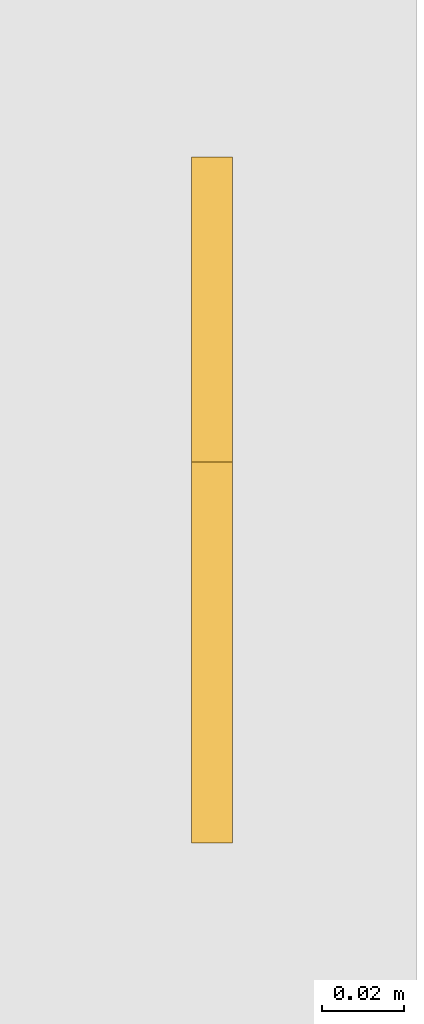
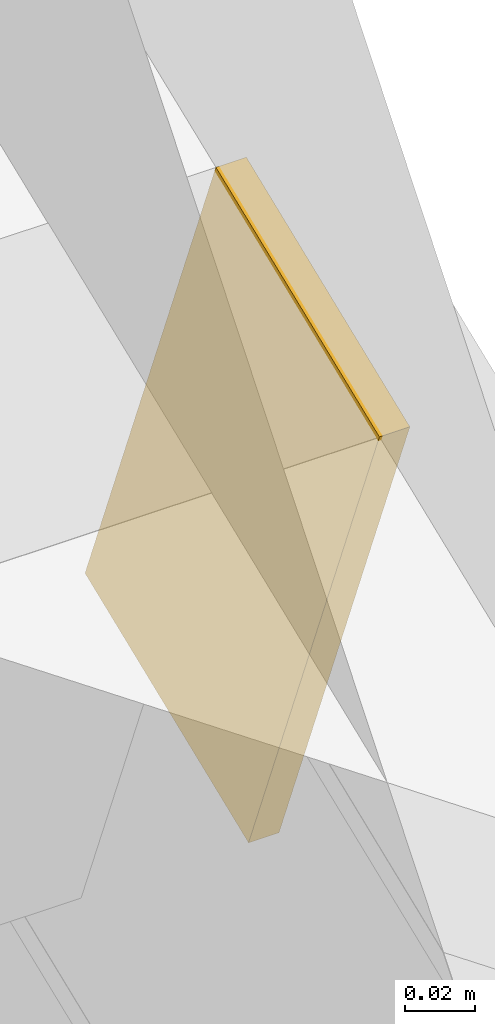
# One storey, part 106 of 109: 1 covering.
"""IFC4 building model written with IfcOpenShell, lengths in metres."""

from ifc_helpers import new_model, si_unit, direction, frame, origin, place, context, subcontext, project, spatial, polyline, outline, extrude, material, material_profile, profile_set, type_object, element, save


model = new_model("IFC4")

# Units and contexts
model_context = context("Model", 3, precision=1e-05, world=origin(), true_north=direction((0.0, 1.0)))
body_context = subcontext(model_context, "Body", "Model", "MODEL_VIEW")
ifc_project = project(units=[si_unit("LENGTHUNIT", "METRE"), si_unit("AREAUNIT", "SQUARE_METRE"), si_unit("VOLUMEUNIT", "CUBIC_METRE"), si_unit("PLANEANGLEUNIT", "RADIAN"), si_unit("MASSUNIT", "GRAM", prefix="KILO")], contexts=[model_context])

# Site, building, storey
site_placement = place(None, origin())
site = spatial("IfcSite", under=ifc_project, at=site_placement, CompositionType="ELEMENT")
building_placement = place(site_placement, origin())
building = spatial("IfcBuilding", under=site, at=building_placement, Name="Lantern Court Research Institute", CompositionType="ELEMENT")
storey_placement = place(building_placement, frame((0.0, 0.0, 14.39990234375)))
storey = spatial("IfcBuildingStorey", under=building, at=storey_placement, Name="L03", CompositionType="ELEMENT", Elevation=14.39990234375)

# Covering
ifc_material = material(Name="Structural steel S355", Category="steel")
ifc_material_profile = material_profile(ifc_material, outline(polyline([(-0.050048828125, -0.10009765625), (0.050048828125, -0.10009765625), (0.050048828125, 0.10009765625), (-0.050048828125, 0.10009765625), (-0.050048828125, -0.10009765625)])), Name="Purlin end cap 200 x 100 x 10")
ifc_profile_set = profile_set([ifc_material_profile], Name="Structural steel S355")
covering_type = type_object("IfcCoveringType", Name="Purlin end cap 200 x 100 x 10", PredefinedType="MOLDING", material=ifc_profile_set)
covering_placement = place(storey_placement, frame((26.39990234375, 68.767578125, 2.540283203125), z_axis=(1.0, 0.0, 0.0), x_axis=(0.0, 0.928476694038, 0.371390668473)))
element("IfcCovering", 1, at=covering_placement, inside=storey, type_object=covering_type, Name="Purlin end cap", PredefinedType="MOLDING", context=body_context, shape_type="SweptSolid", body=[
    extrude(outline(polyline([(-0.050048828125, -0.10009765625), (0.050048828125, -0.10009765625), (0.050048828125, 0.10009765625), (-0.050048828125, 0.10009765625), (-0.050048828125, -0.10009765625)])), origin(), (0.0, 0.0, 1.0), 0.010009765625),
])

save(model, "model.ifc")
